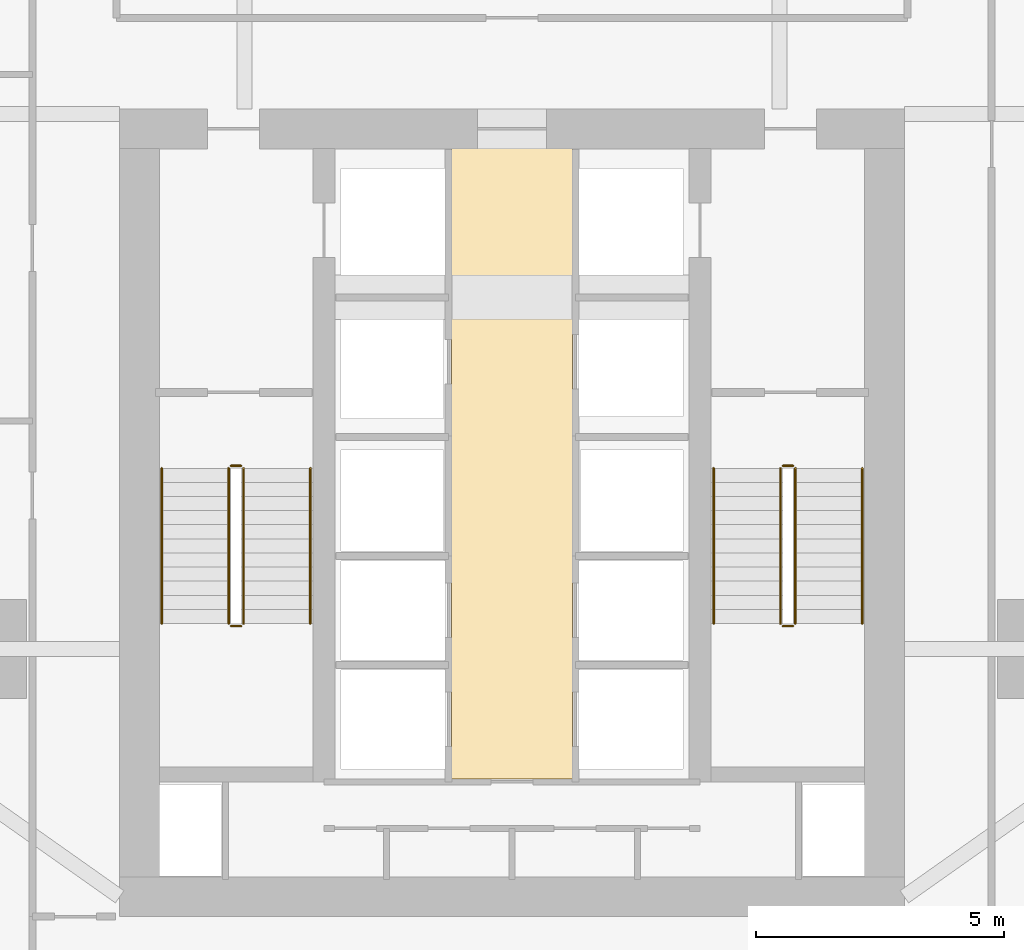
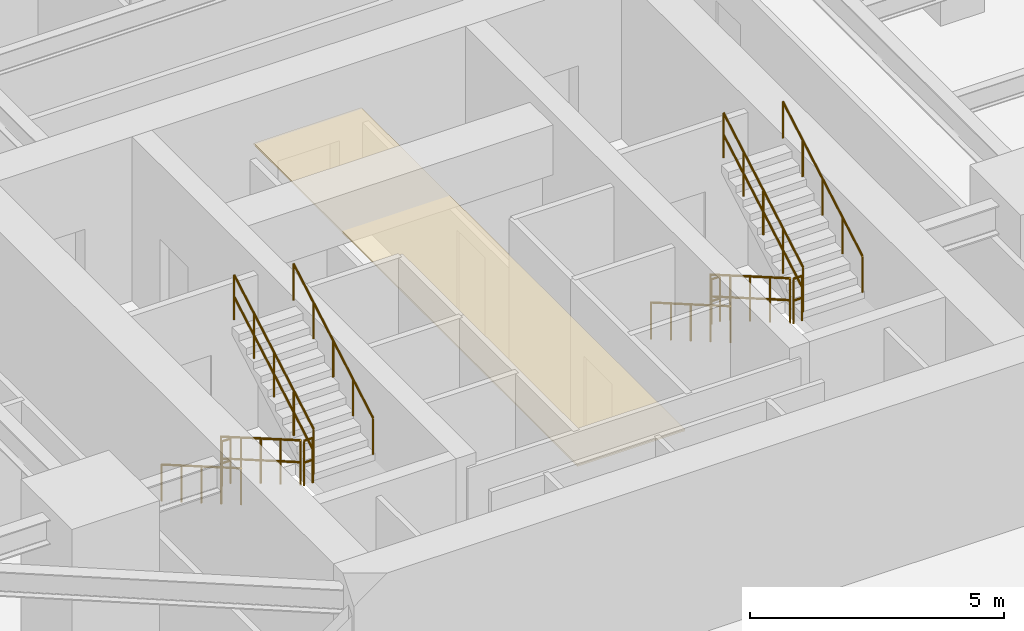
# One storey, part 25 of 26: 12 railings, 1 covering.
"""IFC4 building model written with IfcOpenShell, lengths in metres."""

from ifc_helpers import new_model, si_unit, direction, frame, origin, origin_2d, place, context, subcontext, project, spatial, polyline, circle, outline, extrude, material, layer, layer_set, type_object, element, save


model = new_model("IFC4")

# Units and contexts
model_context = context("Model", 3, precision=1e-05, world=origin(), true_north=direction((0.0, 1.0)))
body_context = subcontext(model_context, "Body", "Model", "MODEL_VIEW")
ifc_project = project(units=[si_unit("LENGTHUNIT", "METRE"), si_unit("AREAUNIT", "SQUARE_METRE"), si_unit("VOLUMEUNIT", "CUBIC_METRE"), si_unit("PLANEANGLEUNIT", "RADIAN"), si_unit("MASSUNIT", "GRAM", prefix="KILO")], contexts=[model_context])

# Site, building, storey
site_placement = place(None, origin())
site = spatial("IfcSite", under=ifc_project, at=site_placement, CompositionType="ELEMENT")
building_placement = place(site_placement, origin())
building = spatial("IfcBuilding", under=site, at=building_placement, Name="Krantzveldt Concourse Tower", CompositionType="ELEMENT")
storey_placement = place(building_placement, frame((0.0, 0.0, 94.0)))
storey = spatial("IfcBuildingStorey", under=building, at=storey_placement, Name="L22", CompositionType="ELEMENT", Elevation=94.0)

# Covering
ifc_material_1 = material(Name="Perforated acoustic mineral-fibre ceiling tile", Category="ceiling")
ifc_layer_1 = layer(ifc_material_1, 0.0400390625, Name="Perforated acoustic mineral-fibre ceiling tile", Category="ceiling")
ifc_layer_set_1 = layer_set([ifc_layer_1], Name="Perforated acoustic mineral-fibre ceiling tile (COV-CEIL-ACOUSTIC)")
covering_type = type_object("IfcCoveringType", Name="COV-CEIL-ACOUSTIC", PredefinedType="CEILING", material=ifc_layer_set_1)
covering_placement = place(storey_placement, frame((0.0, 0.0, 2.75)))
element("IfcCovering", 1, at=covering_placement, inside=storey, type_object=covering_type, Name="CLG-L22-LLB", PredefinedType="CEILING", context=body_context, shape_type="SweptSolid", body=[
    extrude(outline(polyline([(37.22509765625, 13.27490234375), (34.77490234375, 13.27490234375), (34.77490234375, 26.044921875), (37.22509765625, 26.044921875), (37.22509765625, 13.27490234375)])), origin(), (0.0, 0.0, 1.0), 0.0400390625),
])

# Railings
ifc_material_2 = material(Name="Stainless steel 316L", Category="steel")
ifc_layer_2 = layer(ifc_material_2, 0.06005859375, Name="Stainless steel 316L", Category="steel")
ifc_layer_set_2 = layer_set([ifc_layer_2], Name="Stainless steel 316L (RL-GUARD-1120)")
railing_type_1 = type_object("IfcRailingType", Name="RL-GUARD-1120", PredefinedType="GUARDRAIL", material=ifc_layer_set_2)
railing_1_placement = place(storey_placement, frame((30.280029296875, 19.550048828125, 0.16455078125)))
element("IfcRailing", 2, at=railing_1_placement, inside=storey, type_object=railing_type_1, Name="L22 ST-1 stair guard 1", PredefinedType="GUARDRAIL", context=body_context, shape_type="SweptSolid", body=[
    extrude(circle(Radius=0.02392578125, at=origin_2d()), frame((0.0, 0.0, 1.076171875), z_axis=(0.0, -0.865959834175, 0.500113552702), x_axis=(1.0, 0.0, 0.0)), (0.0, 0.0, 1.0), 3.620361328125),
    extrude(circle(Radius=0.02392578125, at=origin_2d()), frame((0.0, 0.0, 0.550048828125), z_axis=(0.0, -0.865959834175, 0.500113552702), x_axis=(1.0, 0.0, 0.0)), (0.0, 0.0, 1.0), 3.620361328125),
    extrude(circle(Radius=0.02099609375, at=origin_2d()), origin(), (0.0, 0.0, 1.0), 1.052001953125),
    extrude(circle(Radius=0.02099609375, at=origin_2d()), frame((0.0, -0.78369140625, 0.45263671875)), (0.0, 0.0, 1.0), 1.052001953125),
    extrude(circle(Radius=0.02099609375, at=origin_2d()), frame((0.0, -1.5673828125, 0.9052734375)), (0.0, 0.0, 1.0), 1.052001953125),
    extrude(circle(Radius=0.02099609375, at=origin_2d()), frame((0.0, -2.351318359375, 1.35791015625)), (0.0, 0.0, 1.0), 1.052001953125),
    extrude(circle(Radius=0.02099609375, at=origin_2d()), frame((0.0, -3.135009765625, 1.810546875)), (0.0, 0.0, 1.0), 1.052001953125),
])
railing_2_placement = place(storey_placement, frame((30.330078125, 16.364990234375, 1.97509765625)))
element("IfcRailing", 3, at=railing_2_placement, inside=storey, type_object=railing_type_1, Name="L22 ST-1 stair guard 2", PredefinedType="GUARDRAIL", context=body_context, shape_type="SweptSolid", body=[
    extrude(circle(Radius=0.02392578125, at=origin_2d()), frame((0.0, 0.0, 1.076171875), z_axis=(1.0, 0.0, 0.0), x_axis=(0.0, 1.0, 0.0)), (0.0, 0.0, 1.0), 0.199951171875),
    extrude(circle(Radius=0.02392578125, at=origin_2d()), frame((0.0, 0.0, 0.550048828125), z_axis=(1.0, 0.0, 0.0), x_axis=(0.0, 1.0, 0.0)), (0.0, 0.0, 1.0), 0.199951171875),
    extrude(circle(Radius=0.02099609375, at=origin_2d()), origin(), (0.0, 0.0, 1.0), 1.052001953125),
    extrude(circle(Radius=0.02099609375, at=origin_2d()), frame((0.199951171875, 0.0, 0.0)), (0.0, 0.0, 1.0), 1.052001953125),
])
railing_3_placement = place(storey_placement, frame((30.580078125, 16.4150390625, 2.1396484375)))
element("IfcRailing", 4, at=railing_3_placement, inside=storey, type_object=railing_type_1, Name="L22 ST-1 stair guard 3", PredefinedType="GUARDRAIL", context=body_context, shape_type="SweptSolid", body=[
    extrude(circle(Radius=0.02392578125, at=origin_2d()), frame((0.0, 0.0, 1.076171875), z_axis=(0.0, 0.865989039225, 0.500062979975), x_axis=(-1.0, 0.0, 0.0)), (0.0, 0.0, 1.0), 3.6201171875),
    extrude(circle(Radius=0.02392578125, at=origin_2d()), frame((0.0, 0.0, 0.550048828125), z_axis=(0.0, 0.865989039225, 0.500062979975), x_axis=(-1.0, 0.0, 0.0)), (0.0, 0.0, 1.0), 3.6201171875),
    extrude(circle(Radius=0.02099609375, at=origin_2d()), origin(), (0.0, 0.0, 1.0), 1.052001953125),
    extrude(circle(Radius=0.02099609375, at=origin_2d()), frame((0.0, 0.78369140625, 0.45263671875)), (0.0, 0.0, 1.0), 1.052001953125),
    extrude(circle(Radius=0.02099609375, at=origin_2d()), frame((0.0, 1.5673828125, 0.9052734375)), (0.0, 0.0, 1.0), 1.052001953125),
    extrude(circle(Radius=0.02099609375, at=origin_2d()), frame((0.0, 2.351318359375, 1.357666015625)), (0.0, 0.0, 1.0), 1.052001953125),
    extrude(circle(Radius=0.02099609375, at=origin_2d()), frame((0.0, 3.135009765625, 1.810302734375)), (0.0, 0.0, 1.0), 1.052001953125),
])
railing_4_placement = place(storey_placement, frame((30.330078125, 19.60009765625, 0.0)))
element("IfcRailing", 5, at=railing_4_placement, inside=storey, type_object=railing_type_1, Name="L22 ST-1 stair guard 4", PredefinedType="GUARDRAIL", context=body_context, shape_type="SweptSolid", body=[
    extrude(circle(Radius=0.02392578125, at=origin_2d()), frame((0.0, 0.0, 1.076171875), z_axis=(1.0, 0.0, 0.0), x_axis=(0.0, 1.0, 0.0)), (0.0, 0.0, 1.0), 0.199951171875),
    extrude(circle(Radius=0.02392578125, at=origin_2d()), frame((0.0, 0.0, 0.550048828125), z_axis=(1.0, 0.0, 0.0), x_axis=(0.0, 1.0, 0.0)), (0.0, 0.0, 1.0), 0.199951171875),
    extrude(circle(Radius=0.02099609375, at=origin_2d()), origin(), (0.0, 0.0, 1.0), 1.052001953125),
    extrude(circle(Radius=0.02099609375, at=origin_2d()), frame((0.199951171875, 0.0, 0.0)), (0.0, 0.0, 1.0), 1.052001953125),
])
railing_5_placement = place(storey_placement, frame((41.419921875, 19.550048828125, 0.16455078125)))
element("IfcRailing", 6, at=railing_5_placement, inside=storey, type_object=railing_type_1, Name="L22 ST-2 stair guard 1", PredefinedType="GUARDRAIL", context=body_context, shape_type="SweptSolid", body=[
    extrude(circle(Radius=0.02392578125, at=origin_2d()), frame((0.0, 0.0, 1.076171875), z_axis=(0.0, -0.865959834175, 0.500113552702), x_axis=(1.0, 0.0, 0.0)), (0.0, 0.0, 1.0), 3.620361328125),
    extrude(circle(Radius=0.02392578125, at=origin_2d()), frame((0.0, 0.0, 0.550048828125), z_axis=(0.0, -0.865959834175, 0.500113552702), x_axis=(1.0, 0.0, 0.0)), (0.0, 0.0, 1.0), 3.620361328125),
    extrude(circle(Radius=0.02099609375, at=origin_2d()), origin(), (0.0, 0.0, 1.0), 1.052001953125),
    extrude(circle(Radius=0.02099609375, at=origin_2d()), frame((0.0, -0.78369140625, 0.45263671875)), (0.0, 0.0, 1.0), 1.052001953125),
    extrude(circle(Radius=0.02099609375, at=origin_2d()), frame((0.0, -1.5673828125, 0.9052734375)), (0.0, 0.0, 1.0), 1.052001953125),
    extrude(circle(Radius=0.02099609375, at=origin_2d()), frame((0.0, -2.351318359375, 1.35791015625)), (0.0, 0.0, 1.0), 1.052001953125),
    extrude(circle(Radius=0.02099609375, at=origin_2d()), frame((0.0, -3.135009765625, 1.810546875)), (0.0, 0.0, 1.0), 1.052001953125),
])
railing_6_placement = place(storey_placement, frame((41.469970703125, 16.364990234375, 1.97509765625)))
element("IfcRailing", 7, at=railing_6_placement, inside=storey, type_object=railing_type_1, Name="L22 ST-2 stair guard 2", PredefinedType="GUARDRAIL", context=body_context, shape_type="SweptSolid", body=[
    extrude(circle(Radius=0.02392578125, at=origin_2d()), frame((0.0, 0.0, 1.076171875), z_axis=(1.0, 0.0, 0.0), x_axis=(0.0, 1.0, 0.0)), (0.0, 0.0, 1.0), 0.199951171875),
    extrude(circle(Radius=0.02392578125, at=origin_2d()), frame((0.0, 0.0, 0.550048828125), z_axis=(1.0, 0.0, 0.0), x_axis=(0.0, 1.0, 0.0)), (0.0, 0.0, 1.0), 0.199951171875),
    extrude(circle(Radius=0.02099609375, at=origin_2d()), origin(), (0.0, 0.0, 1.0), 1.052001953125),
    extrude(circle(Radius=0.02099609375, at=origin_2d()), frame((0.199951171875, 0.0, 0.0)), (0.0, 0.0, 1.0), 1.052001953125),
])
railing_7_placement = place(storey_placement, frame((41.719970703125, 16.4150390625, 2.1396484375)))
element("IfcRailing", 8, at=railing_7_placement, inside=storey, type_object=railing_type_1, Name="L22 ST-2 stair guard 3", PredefinedType="GUARDRAIL", context=body_context, shape_type="SweptSolid", body=[
    extrude(circle(Radius=0.02392578125, at=origin_2d()), frame((0.0, 0.0, 1.076171875), z_axis=(0.0, 0.865989039225, 0.500062979975), x_axis=(-1.0, 0.0, 0.0)), (0.0, 0.0, 1.0), 3.6201171875),
    extrude(circle(Radius=0.02392578125, at=origin_2d()), frame((0.0, 0.0, 0.550048828125), z_axis=(0.0, 0.865989039225, 0.500062979975), x_axis=(-1.0, 0.0, 0.0)), (0.0, 0.0, 1.0), 3.6201171875),
    extrude(circle(Radius=0.02099609375, at=origin_2d()), origin(), (0.0, 0.0, 1.0), 1.052001953125),
    extrude(circle(Radius=0.02099609375, at=origin_2d()), frame((0.0, 0.78369140625, 0.45263671875)), (0.0, 0.0, 1.0), 1.052001953125),
    extrude(circle(Radius=0.02099609375, at=origin_2d()), frame((0.0, 1.5673828125, 0.9052734375)), (0.0, 0.0, 1.0), 1.052001953125),
    extrude(circle(Radius=0.02099609375, at=origin_2d()), frame((0.0, 2.351318359375, 1.357666015625)), (0.0, 0.0, 1.0), 1.052001953125),
    extrude(circle(Radius=0.02099609375, at=origin_2d()), frame((0.0, 3.135009765625, 1.810302734375)), (0.0, 0.0, 1.0), 1.052001953125),
])
railing_8_placement = place(storey_placement, frame((41.469970703125, 19.60009765625, 0.0)))
element("IfcRailing", 9, at=railing_8_placement, inside=storey, type_object=railing_type_1, Name="L22 ST-2 stair guard 4", PredefinedType="GUARDRAIL", context=body_context, shape_type="SweptSolid", body=[
    extrude(circle(Radius=0.02392578125, at=origin_2d()), frame((0.0, 0.0, 1.076171875), z_axis=(1.0, 0.0, 0.0), x_axis=(0.0, 1.0, 0.0)), (0.0, 0.0, 1.0), 0.199951171875),
    extrude(circle(Radius=0.02392578125, at=origin_2d()), frame((0.0, 0.0, 0.550048828125), z_axis=(1.0, 0.0, 0.0), x_axis=(0.0, 1.0, 0.0)), (0.0, 0.0, 1.0), 0.199951171875),
    extrude(circle(Radius=0.02099609375, at=origin_2d()), origin(), (0.0, 0.0, 1.0), 1.052001953125),
    extrude(circle(Radius=0.02099609375, at=origin_2d()), frame((0.199951171875, 0.0, 0.0)), (0.0, 0.0, 1.0), 1.052001953125),
])
ifc_layer_3 = layer(ifc_material_2, 0.050048828125, Name="Stainless steel 316L", Category="steel")
ifc_layer_set_3 = layer_set([ifc_layer_3], Name="Stainless steel 316L (RL-HANDRAIL-920)")
railing_type_2 = type_object("IfcRailingType", Name="RL-HANDRAIL-920", PredefinedType="HANDRAIL", material=ifc_layer_set_3)
railing_9_placement = place(storey_placement, frame((28.929931640625, 19.550048828125, 0.16455078125)))
element("IfcRailing", 10, at=railing_9_placement, inside=storey, type_object=railing_type_2, Name="L22 ST-1 stair handrail 1", PredefinedType="HANDRAIL", context=body_context, shape_type="SweptSolid", body=[
    extrude(circle(Radius=0.02392578125, at=origin_2d()), frame((0.0, 0.0, 0.8759765625), z_axis=(0.0, -0.865959834175, 0.500113552702), x_axis=(1.0, 0.0, 0.0)), (0.0, 0.0, 1.0), 3.620361328125),
    extrude(circle(Radius=0.02099609375, at=origin_2d()), origin(), (0.0, 0.0, 1.0), 0.851806640625),
    extrude(circle(Radius=0.02099609375, at=origin_2d()), frame((0.0, -0.78369140625, 0.45263671875)), (0.0, 0.0, 1.0), 0.851806640625),
    extrude(circle(Radius=0.02099609375, at=origin_2d()), frame((0.0, -1.5673828125, 0.9052734375)), (0.0, 0.0, 1.0), 0.851806640625),
    extrude(circle(Radius=0.02099609375, at=origin_2d()), frame((0.0, -2.351318359375, 1.35791015625)), (0.0, 0.0, 1.0), 0.851806640625),
    extrude(circle(Radius=0.02099609375, at=origin_2d()), frame((0.0, -3.135009765625, 1.810546875)), (0.0, 0.0, 1.0), 0.851806640625),
])
railing_10_placement = place(storey_placement, frame((31.929931640625, 16.4150390625, 2.1396484375)))
element("IfcRailing", 11, at=railing_10_placement, inside=storey, type_object=railing_type_2, Name="L22 ST-1 stair handrail 2", PredefinedType="HANDRAIL", context=body_context, shape_type="SweptSolid", body=[
    extrude(circle(Radius=0.02392578125, at=origin_2d()), frame((0.0, 0.0, 0.8759765625), z_axis=(0.0, 0.865989039225, 0.500062979975), x_axis=(-1.0, 0.0, 0.0)), (0.0, 0.0, 1.0), 3.6201171875),
    extrude(circle(Radius=0.02099609375, at=origin_2d()), origin(), (0.0, 0.0, 1.0), 0.851806640625),
    extrude(circle(Radius=0.02099609375, at=origin_2d()), frame((0.0, 0.78369140625, 0.45263671875)), (0.0, 0.0, 1.0), 0.851806640625),
    extrude(circle(Radius=0.02099609375, at=origin_2d()), frame((0.0, 1.5673828125, 0.9052734375)), (0.0, 0.0, 1.0), 0.851806640625),
    extrude(circle(Radius=0.02099609375, at=origin_2d()), frame((0.0, 2.351318359375, 1.357666015625)), (0.0, 0.0, 1.0), 0.851806640625),
    extrude(circle(Radius=0.02099609375, at=origin_2d()), frame((0.0, 3.135009765625, 1.810302734375)), (0.0, 0.0, 1.0), 0.851806640625),
])
railing_11_placement = place(storey_placement, frame((40.070068359375, 19.550048828125, 0.16455078125)))
element("IfcRailing", 12, at=railing_11_placement, inside=storey, type_object=railing_type_2, Name="L22 ST-2 stair handrail 1", PredefinedType="HANDRAIL", context=body_context, shape_type="SweptSolid", body=[
    extrude(circle(Radius=0.02392578125, at=origin_2d()), frame((0.0, 0.0, 0.8759765625), z_axis=(0.0, -0.865959834175, 0.500113552702), x_axis=(1.0, 0.0, 0.0)), (0.0, 0.0, 1.0), 3.620361328125),
    extrude(circle(Radius=0.02099609375, at=origin_2d()), origin(), (0.0, 0.0, 1.0), 0.851806640625),
    extrude(circle(Radius=0.02099609375, at=origin_2d()), frame((0.0, -0.78369140625, 0.45263671875)), (0.0, 0.0, 1.0), 0.851806640625),
    extrude(circle(Radius=0.02099609375, at=origin_2d()), frame((0.0, -1.5673828125, 0.9052734375)), (0.0, 0.0, 1.0), 0.851806640625),
    extrude(circle(Radius=0.02099609375, at=origin_2d()), frame((0.0, -2.351318359375, 1.35791015625)), (0.0, 0.0, 1.0), 0.851806640625),
    extrude(circle(Radius=0.02099609375, at=origin_2d()), frame((0.0, -3.135009765625, 1.810546875)), (0.0, 0.0, 1.0), 0.851806640625),
])
railing_12_placement = place(storey_placement, frame((43.070068359375, 16.4150390625, 2.1396484375)))
element("IfcRailing", 13, at=railing_12_placement, inside=storey, type_object=railing_type_2, Name="L22 ST-2 stair handrail 2", PredefinedType="HANDRAIL", context=body_context, shape_type="SweptSolid", body=[
    extrude(circle(Radius=0.02392578125, at=origin_2d()), frame((0.0, 0.0, 0.8759765625), z_axis=(0.0, 0.865989039225, 0.500062979975), x_axis=(-1.0, 0.0, 0.0)), (0.0, 0.0, 1.0), 3.6201171875),
    extrude(circle(Radius=0.02099609375, at=origin_2d()), origin(), (0.0, 0.0, 1.0), 0.851806640625),
    extrude(circle(Radius=0.02099609375, at=origin_2d()), frame((0.0, 0.78369140625, 0.45263671875)), (0.0, 0.0, 1.0), 0.851806640625),
    extrude(circle(Radius=0.02099609375, at=origin_2d()), frame((0.0, 1.5673828125, 0.9052734375)), (0.0, 0.0, 1.0), 0.851806640625),
    extrude(circle(Radius=0.02099609375, at=origin_2d()), frame((0.0, 2.351318359375, 1.357666015625)), (0.0, 0.0, 1.0), 0.851806640625),
    extrude(circle(Radius=0.02099609375, at=origin_2d()), frame((0.0, 3.135009765625, 1.810302734375)), (0.0, 0.0, 1.0), 0.851806640625),
])

save(model, "model.ifc")
